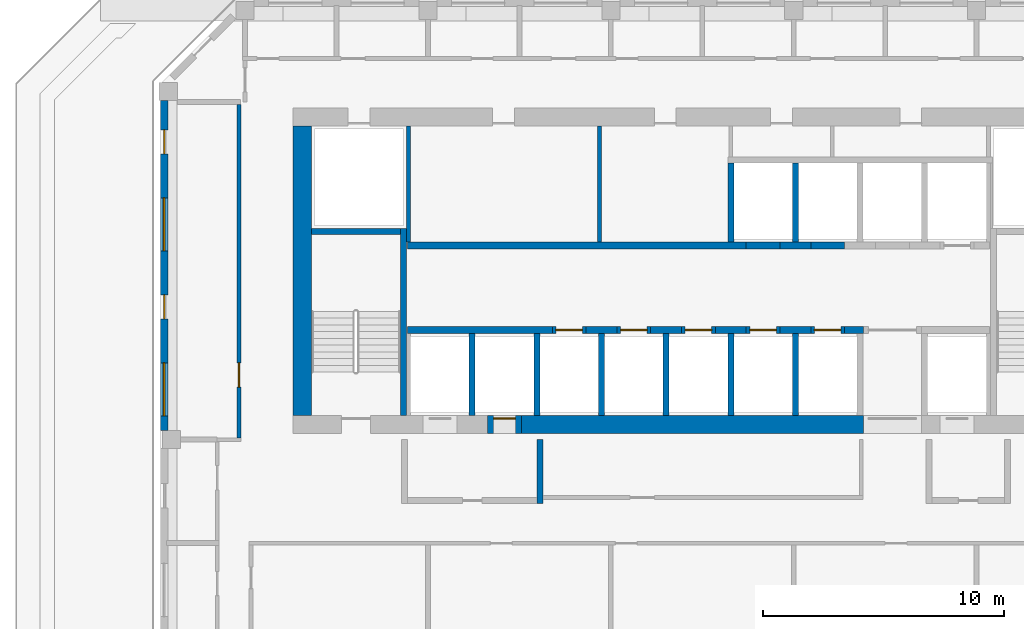
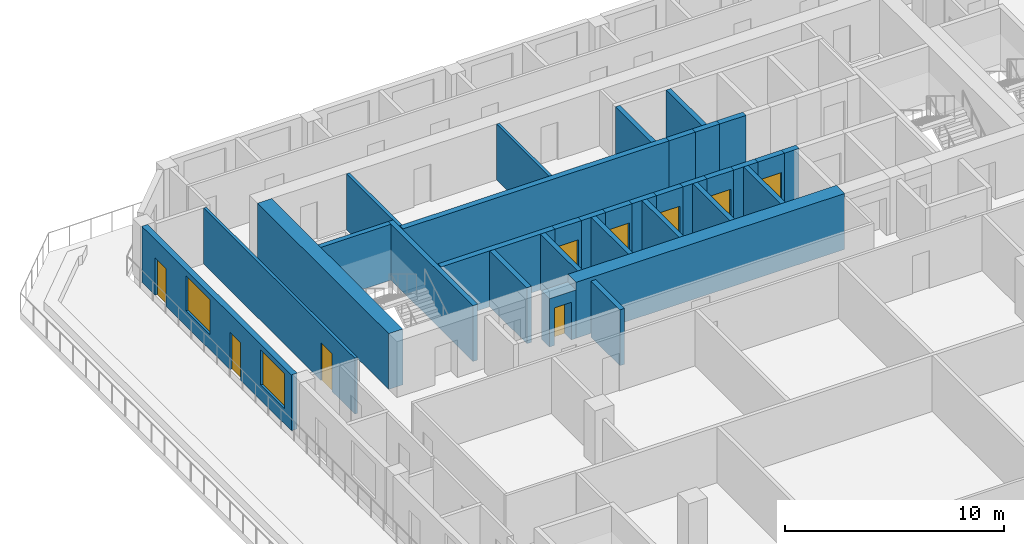
# One storey, part 7 of 16: 33 walls, 9 doors, 2 windows, 11 openings.
"""IFC4 building model written with IfcOpenShell, lengths in metres."""

from ifc_helpers import new_model, si_unit, direction, frame, frame_2d, origin, place, context, subcontext, project, spatial, rectangle, extrude, source, transform, mapped, material, layer, layer_set, type_object, element, fill, save


model = new_model("IFC4")

# Units and contexts
model_context = context("Model", 3, precision=1e-05, world=origin(), true_north=direction((0.0, 1.0)))
body_context = subcontext(model_context, "Body", "Model", "MODEL_VIEW")
ifc_project = project(units=[si_unit("LENGTHUNIT", "METRE"), si_unit("AREAUNIT", "SQUARE_METRE"), si_unit("VOLUMEUNIT", "CUBIC_METRE"), si_unit("PLANEANGLEUNIT", "RADIAN"), si_unit("MASSUNIT", "GRAM", prefix="KILO")], contexts=[model_context])

# Site, building, storey
site_placement = place(None, origin())
site = spatial("IfcSite", under=ifc_project, at=site_placement, CompositionType="ELEMENT")
building_placement = place(site_placement, origin())
building = spatial("IfcBuilding", under=site, at=building_placement, Name="Kilnfold Tower and Market Hall", CompositionType="ELEMENT")
storey_placement = place(building_placement, frame((0.0, 0.0, 199.89990234375)))
storey = spatial("IfcBuildingStorey", under=building, at=storey_placement, Name="L48", CompositionType="ELEMENT", Elevation=199.89990234375)

# Wall, opening, door
ifc_material_1 = material(Name="Gypsum board on steel studs", Category="steel")
ifc_layer_1 = layer(ifc_material_1, 0.14990234375)
ifc_layer_set_1 = layer_set([ifc_layer_1], Name="Gypsum board on steel studs")
wall_type_1 = type_object("IfcWallType", Name="WALL CORRIDOR 150", PredefinedType="PARTITIONING", material=ifc_layer_set_1)
wall_1_placement = place(storey_placement, frame((-18.0, 21.89990234375, 0.0), z_axis=(0.0, 0.0, 1.0), x_axis=(0.0, -1.0, 0.0)))
wall_1 = element("IfcWall", 1, at=wall_1_placement, inside=storey, type_object=wall_type_1, Name="Partition LY30.8", PredefinedType="PARTITIONING", context=body_context, shape_type="SweptSolid", body=[
    extrude(rectangle(XDim=13.824951171875, YDim=0.14990234375, at=frame_2d((6.91259765625, 0.0))), origin(), (0.0, 0.0, 1.0), 3.1201171875),
])
opening_1_placement = place(wall_1_placement, frame((10.720947265625, 0.0, 0.0)))
opening_1 = element("IfcOpeningElement", 2, at=opening_1_placement, cuts=wall_1, Name="Opening D4", PredefinedType="OPENING", context=body_context, shape_type="SweptSolid", body=[
    extrude(rectangle(XDim=1.0, YDim=2.10009765625, at=frame_2d((0.5, 1.050048828125))), frame((0.0, 0.0849609375, 0.0), z_axis=(0.0, -1.0, 0.0), x_axis=(1.0, 0.0, 0.0)), (0.0, 0.0, 1.0), 0.169921875),
])
ifc_material_2 = material(Name="Timber veneer door leaf in steel frame", Category="steel")
door_type_1 = type_object("IfcDoorType", Name="DOOR SERVICE 1000 X2100", OperationType="NOTDEFINED", PredefinedType="DOOR", material=ifc_material_2)
door_1_placement = place(opening_1_placement, origin())
door_1 = element("IfcDoor", 3, at=door_1_placement, inside=storey, type_object=door_type_1, Name="Door D4", OperationType="SINGLE_SWING_RIGHT", OverallHeight=2.10009765625, OverallWidth=1.0, PredefinedType="DOOR", context=body_context, shape_type="SweptSolid", body=[
    extrude(rectangle(XDim=1.0, YDim=2.10009765625, at=frame_2d((0.5, 1.050048828125))), frame((0.0, 0.02490234375, 0.0), z_axis=(0.0, -1.0, 0.0), x_axis=(1.0, 0.0, 0.0)), (0.0, 0.0, 1.0), 0.050048828125),
])
fill(opening_1, door_1)

# Walls
ifc_material_3 = material(Name="Concrete C60", Category="concrete")
ifc_layer_2 = layer(ifc_material_3, 0.25)
ifc_layer_set_2 = layer_set([ifc_layer_2], Name="Concrete C60")
wall_type_2 = type_object("IfcWallType", Name="CORE WALL 250 C60", PredefinedType="SHEAR", material=ifc_layer_set_2)
shared_shape_1 = source(origin(), body_context, "Body", "SweptSolid", [
    extrude(rectangle(XDim=7.75, YDim=0.25, at=frame_2d((3.875, 0.0))), origin(), (0.0, 0.0, 1.0), 3.1201171875),
])
wall_2_placement = place(storey_placement, frame((-11.175048828125, 9.0, 0.0), z_axis=(0.0, 0.0, 1.0), x_axis=(0.0, 1.0, 0.0)))
element("IfcWall", 4, at=wall_2_placement, inside=storey, type_object=wall_type_2, Name="Stair enclosure ST1", PredefinedType="SHEAR", context=body_context, shape_type="MappedRepresentation", body=[
    mapped(shared_shape_1, transform((0.0, 0.0, 0.0))),
])
shared_shape_2 = source(origin(), body_context, "Body", "SweptSolid", [
    extrude(rectangle(XDim=3.699951171875, YDim=0.25, at=frame_2d((1.85009765625, 0.0))), origin(), (0.0, 0.0, 1.0), 3.1201171875),
])
wall_3_placement = place(storey_placement, frame((-15.0, 16.625, 0.0), z_axis=(0.0, 0.0, 1.0), x_axis=(1.0, 0.0, 0.0)))
element("IfcWall", 5, at=wall_3_placement, inside=storey, type_object=wall_type_2, Name="Stair enclosure ST1", PredefinedType="SHEAR", context=body_context, shape_type="MappedRepresentation", body=[
    mapped(shared_shape_2, transform((0.0, 0.0, 0.0))),
])
ifc_material_4 = material(Name="Concrete C60", Category="concrete")
ifc_layer_3 = layer(ifc_material_4, 0.300048828125)
ifc_layer_set_3 = layer_set([ifc_layer_3], Name="Concrete C60")
wall_type_3 = type_object("IfcWallType", Name="CORE WALL 300 C60", PredefinedType="SHEAR", material=ifc_layer_set_3)
shared_shape_3 = source(origin(), body_context, "Body", "SweptSolid", [
    extrude(rectangle(XDim=6.0, YDim=0.300048828125, at=frame_2d((3.0, 0.0))), origin(), (0.0, 0.0, 1.0), 3.1201171875),
])
wall_4_placement = place(storey_placement, frame((-11.010009765625, 12.550048828125, 0.0), z_axis=(0.0, 0.0, 1.0), x_axis=(1.0, 0.0, 0.0)))
element("IfcWall", 6, at=wall_4_placement, inside=storey, type_object=wall_type_3, Name="Core spine wall", PredefinedType="SHEAR", context=body_context, shape_type="MappedRepresentation", body=[
    mapped(shared_shape_3, transform((0.0, 0.0, 0.0))),
])
shared_shape_4 = source(origin(), body_context, "Body", "SweptSolid", [
    extrude(rectangle(XDim=1.280029296875, YDim=0.300048828125, at=frame_2d((0.64013671875, 0.0))), origin(), (0.0, 0.0, 1.0), 3.1201171875),
])
for number, where, z_axis, x_axis, name in (
    (7, (-3.610107421875, 12.550048828125, 0.0), (0.0, 0.0, 1.0), (1.0, 0.0, 0.0), "Core spine wall"),
    (8, (-0.929931640625, 12.550048828125, 0.0), (0.0, 0.0, 1.0), (1.0, 0.0, 0.0), "Core spine wall"),
    (9, (1.75, 12.550048828125, 0.0), (0.0, 0.0, 1.0), (1.0, 0.0, 0.0), "Core spine wall"),
    (10, (4.429931640625, 12.550048828125, 0.0), (0.0, 0.0, 1.0), (1.0, 0.0, 0.0), "Core spine wall"),
    (11, (4.429931640625, 16.050048828125, 0.0), (0.0, 0.0, 1.0), (1.0, 0.0, 0.0), "Core spine wall"),
):
    element("IfcWall", number, at=place(storey_placement, frame(where, z_axis=z_axis, x_axis=x_axis)), inside=storey, type_object=wall_type_3, Name=name, PredefinedType="SHEAR", context=body_context, shape_type="MappedRepresentation", body=[
        mapped(shared_shape_4, transform((0.0, 0.0, 0.0))),
    ])
shared_shape_5 = source(origin(), body_context, "Body", "SweptSolid", [
    extrude(rectangle(XDim=0.77978515625, YDim=0.300048828125, at=frame_2d((0.389892578125, 0.0))), origin(), (0.0, 0.0, 1.0), 3.1201171875),
])
wall_5_placement = place(storey_placement, frame((7.110107421875, 12.550048828125, 0.0), z_axis=(0.0, 0.0, 1.0), x_axis=(1.0, 0.0, 0.0)))
element("IfcWall", 12, at=wall_5_placement, inside=storey, type_object=wall_type_3, Name="Core spine wall", PredefinedType="SHEAR", context=body_context, shape_type="MappedRepresentation", body=[
    mapped(shared_shape_5, transform((0.0, 0.0, 0.0))),
])
shared_shape_6 = source(origin(), body_context, "Body", "SweptSolid", [
    extrude(rectangle(XDim=14.0400390625, YDim=0.300048828125, at=frame_2d((7.02001953125, 0.0))), origin(), (0.0, 0.0, 1.0), 3.1201171875),
])
wall_6_placement = place(storey_placement, frame((-11.010009765625, 16.050048828125, 0.0), z_axis=(0.0, 0.0, 1.0), x_axis=(1.0, 0.0, 0.0)))
element("IfcWall", 13, at=wall_6_placement, inside=storey, type_object=wall_type_3, Name="Core spine wall", PredefinedType="SHEAR", context=body_context, shape_type="MappedRepresentation", body=[
    mapped(shared_shape_6, transform((0.0, 0.0, 0.0))),
])
ifc_material_5 = material(Name="Concrete C60", Category="concrete")
ifc_layer_4 = layer(ifc_material_5, 0.75)
ifc_layer_set_4 = layer_set([ifc_layer_4], Name="Concrete C60")
wall_type_4 = type_object("IfcWallType", Name="CORE WALL 750 C60", PredefinedType="SHEAR", material=ifc_layer_set_4)
shared_shape_7 = source(origin(), body_context, "Body", "SweptSolid", [
    extrude(rectangle(XDim=14.179931640625, YDim=0.75, at=frame_2d((7.08984375, 0.0))), origin(), (0.0, 0.0, 1.0), 3.1201171875),
])
wall_7_placement = place(storey_placement, frame((-6.2900390625, 8.625, 0.0), z_axis=(0.0, 0.0, 1.0), x_axis=(1.0, 0.0, 0.0)))
element("IfcWall", 14, at=wall_7_placement, inside=storey, type_object=wall_type_4, Name="Core outer wall south", PredefinedType="SHEAR", context=body_context, shape_type="MappedRepresentation", body=[
    mapped(shared_shape_7, transform((0.0, 0.0, 0.0))),
])
shared_shape_8 = source(origin(), body_context, "Body", "SweptSolid", [
    extrude(rectangle(XDim=12.0, YDim=0.75, at=frame_2d((6.0, 0.0))), origin(), (0.0, 0.0, 1.0), 3.1201171875),
])
wall_8_placement = place(storey_placement, frame((-15.375, 9.0, 0.0), z_axis=(0.0, 0.0, 1.0), x_axis=(0.0, 1.0, 0.0)))
element("IfcWall", 15, at=wall_8_placement, inside=storey, type_object=wall_type_4, Name="Core outer wall west", PredefinedType="SHEAR", context=body_context, shape_type="MappedRepresentation", body=[
    mapped(shared_shape_8, transform((0.0, 0.0, 0.0))),
])

# Wall, openings, doors, windows
ifc_material_6 = material(Name="Precast concrete C50/60", Category="concrete")
ifc_layer_5 = layer(ifc_material_6, 0.300048828125)
ifc_layer_set_5 = layer_set([ifc_layer_5], Name="Precast concrete C50/60")
wall_type_5 = type_object("IfcWallType", Name="PRECAST WALL 300", PredefinedType="SOLIDWALL", material=ifc_layer_set_5)
shared_shape_9 = source(origin(), body_context, "Body", "SweptSolid", [
    extrude(rectangle(XDim=13.681884765625, YDim=0.300048828125, at=frame_2d((6.8408203125, 0.0))), origin(), (0.0, 0.0, 1.0), 3.1201171875),
])
wall_9_placement = place(storey_placement, frame((-21.10009765625, 22.056884765625, 0.0), z_axis=(0.0, 0.0, 1.0), x_axis=(0.0, -1.0, 0.0)))
wall_9 = element("IfcWall", 16, at=wall_9_placement, inside=storey, type_object=wall_type_5, Name="External wall L48 W", PredefinedType="SOLIDWALL", context=body_context, shape_type="MappedRepresentation", body=[
    mapped(shared_shape_9, transform((0.0, 0.0, 0.0))),
])
opening_2_placement = place(wall_9_placement, frame((1.210205078125, 0.0, 0.0)))
opening_2 = element("IfcOpeningElement", 17, at=opening_2_placement, cuts=wall_9, Name="Opening BD1", PredefinedType="OPENING", context=body_context, shape_type="SweptSolid", body=[
    extrude(rectangle(XDim=1.0, YDim=2.10009765625, at=frame_2d((0.5, 1.050048828125))), frame((0.0, 0.16015625, 0.0), z_axis=(0.0, -1.0, 0.0), x_axis=(1.0, 0.0, 0.0)), (0.0, 0.0, 1.0), 0.320068359375),
])
opening_3_placement = place(wall_9_placement, frame((4.030517578125, 0.0, 0.85009765625)))
opening_3 = element("IfcOpeningElement", 18, at=opening_3_placement, cuts=wall_9, Name="Opening W2", PredefinedType="OPENING", context=body_context, shape_type="SweptSolid", body=[
    extrude(rectangle(XDim=2.199951171875, YDim=1.949951171875, at=frame_2d((1.10009765625, 0.97509765625))), frame((0.0, 0.16015625, 0.0), z_axis=(0.0, -1.0, 0.0), x_axis=(1.0, 0.0, 0.0)), (0.0, 0.0, 1.0), 0.320068359375),
])
opening_4_placement = place(wall_9_placement, frame((8.051025390625, 0.0, 0.0)))
opening_4 = element("IfcOpeningElement", 19, at=opening_4_placement, cuts=wall_9, Name="Opening BD1", PredefinedType="OPENING", context=body_context, shape_type="SweptSolid", body=[
    extrude(rectangle(XDim=1.0, YDim=2.10009765625, at=frame_2d((0.5, 1.050048828125))), frame((0.0, 0.16015625, 0.0), z_axis=(0.0, -1.0, 0.0), x_axis=(1.0, 0.0, 0.0)), (0.0, 0.0, 1.0), 0.320068359375),
])
opening_5_placement = place(wall_9_placement, frame((10.87158203125, 0.0, 0.85009765625)))
opening_5 = element("IfcOpeningElement", 20, at=opening_5_placement, cuts=wall_9, Name="Opening W2", PredefinedType="OPENING", context=body_context, shape_type="SweptSolid", body=[
    extrude(rectangle(XDim=2.199951171875, YDim=1.949951171875, at=frame_2d((1.10009765625, 0.97509765625))), frame((0.0, 0.16015625, 0.0), z_axis=(0.0, -1.0, 0.0), x_axis=(1.0, 0.0, 0.0)), (0.0, 0.0, 1.0), 0.320068359375),
])
ifc_material_7 = material(Name="Aluminium frame and double glazing", Category="aluminium")
door_type_2 = type_object("IfcDoorType", Name="BALCONY DOOR 1000X2100", OperationType="NOTDEFINED", PredefinedType="DOOR", material=ifc_material_7)
door_2_placement = place(opening_2_placement, origin())
door_2 = element("IfcDoor", 21, at=door_2_placement, inside=storey, type_object=door_type_2, Name="Balcony door BD1 L48 W-1", OperationType="SINGLE_SWING_LEFT", OverallHeight=2.10009765625, OverallWidth=1.0, PredefinedType="DOOR", context=body_context, shape_type="SweptSolid", body=[
    extrude(rectangle(XDim=1.0, YDim=2.10009765625, at=frame_2d((0.5, 1.050048828125))), frame((0.0, 0.02490234375, 0.0), z_axis=(0.0, -1.0, 0.0), x_axis=(1.0, 0.0, 0.0)), (0.0, 0.0, 1.0), 0.050048828125),
])
fill(opening_2, door_2)
door_3_placement = place(opening_4_placement, origin())
door_3 = element("IfcDoor", 22, at=door_3_placement, inside=storey, type_object=door_type_2, Name="Balcony door BD1 L48 W-3", OperationType="SINGLE_SWING_LEFT", OverallHeight=2.10009765625, OverallWidth=1.0, PredefinedType="DOOR", context=body_context, shape_type="SweptSolid", body=[
    extrude(rectangle(XDim=1.0, YDim=2.10009765625, at=frame_2d((0.5, 1.050048828125))), frame((0.0, 0.02490234375, 0.0), z_axis=(0.0, -1.0, 0.0), x_axis=(1.0, 0.0, 0.0)), (0.0, 0.0, 1.0), 0.050048828125),
])
fill(opening_4, door_3)
ifc_material_8 = material(Name="Aluminium frame and double glazing", Category="aluminium")
window_type = type_object("IfcWindowType", Name="WINDOW W2 2200X1950", PartitioningType="SINGLE_PANEL", PredefinedType="WINDOW", material=ifc_material_8)
window_1_placement = place(opening_3_placement, origin())
window_1 = element("IfcWindow", 23, at=window_1_placement, inside=storey, type_object=window_type, Name="Window W2 L48 W-2", OverallHeight=1.949951171875, OverallWidth=2.199951171875, PartitioningType="SINGLE_PANEL", PredefinedType="WINDOW", context=body_context, shape_type="SweptSolid", body=[
    extrude(rectangle(XDim=2.199951171875, YDim=1.949951171875, at=frame_2d((1.10009765625, 0.97509765625))), frame((0.0, 0.030029296875, 0.0), z_axis=(0.0, -1.0, 0.0), x_axis=(1.0, 0.0, 0.0)), (0.0, 0.0, 1.0), 0.06005859375),
])
fill(opening_3, window_1)
window_2_placement = place(opening_5_placement, origin())
window_2 = element("IfcWindow", 24, at=window_2_placement, inside=storey, type_object=window_type, Name="Window W2 L48 W-4", OverallHeight=1.949951171875, OverallWidth=2.199951171875, PartitioningType="SINGLE_PANEL", PredefinedType="WINDOW", context=body_context, shape_type="SweptSolid", body=[
    extrude(rectangle(XDim=2.199951171875, YDim=1.949951171875, at=frame_2d((1.10009765625, 0.97509765625))), frame((0.0, 0.030029296875, 0.0), z_axis=(0.0, -1.0, 0.0), x_axis=(1.0, 0.0, 0.0)), (0.0, 0.0, 1.0), 0.06005859375),
])
fill(opening_5, window_2)

# Wall, opening, door
ifc_material_9 = material(Name="Gypsum shaft wall system")
ifc_layer_6 = layer(ifc_material_9, 0.300048828125)
ifc_layer_set_6 = layer_set([ifc_layer_6], Name="Gypsum shaft wall system")
wall_type_6 = type_object("IfcWallType", Name="SHAFT WALL 300", PredefinedType="PARTITIONING", material=ifc_layer_set_6)
shared_shape_10 = source(origin(), body_context, "Body", "SweptSolid", [
    extrude(rectangle(XDim=1.39990234375, YDim=0.300048828125, at=frame_2d((0.699951171875, 0.0))), origin(), (0.0, 0.0, 1.0), 3.1201171875),
])
wall_10_placement = place(storey_placement, frame((-5.010009765625, 12.550048828125, 0.0), z_axis=(0.0, 0.0, 1.0), x_axis=(1.0, 0.0, 0.0)))
wall_10 = element("IfcWall", 25, at=wall_10_placement, inside=storey, type_object=wall_type_6, Name="Lift shaft front wall", PredefinedType="PARTITIONING", context=body_context, shape_type="MappedRepresentation", body=[
    mapped(shared_shape_10, transform((0.0, 0.0, 0.0))),
])
opening_6_placement = place(wall_10_placement, frame((0.14990234375, 0.0, 0.0)))
opening_6 = element("IfcOpeningElement", 26, at=opening_6_placement, cuts=wall_10, Name="Opening LD2", PredefinedType="OPENING", context=body_context, shape_type="SweptSolid", body=[
    extrude(rectangle(XDim=1.10009765625, YDim=2.10009765625, at=frame_2d((0.550048828125, 1.050048828125))), frame((0.0, 0.16015625, 0.0), z_axis=(0.0, -1.0, 0.0), x_axis=(1.0, 0.0, 0.0)), (0.0, 0.0, 1.0), 0.320068359375),
])
ifc_material_10 = material(Name="Steel door set with fire-resisting leaf", Category="steel")
door_type_3 = type_object("IfcDoorType", Name="LANDING DOOR 1100X2100", OperationType="NOTDEFINED", PredefinedType="DOOR", material=ifc_material_10)
door_4_placement = place(opening_6_placement, origin())
door_4 = element("IfcDoor", 27, at=door_4_placement, inside=storey, type_object=door_type_3, Name="Landing door MR1", OperationType="DOUBLE_DOOR_SLIDING", OverallHeight=2.10009765625, OverallWidth=1.10009765625, PredefinedType="DOOR", context=body_context, shape_type="SweptSolid", body=[
    extrude(rectangle(XDim=1.10009765625, YDim=2.10009765625, at=frame_2d((0.550048828125, 1.050048828125))), frame((0.0, 0.02490234375, 0.0), z_axis=(0.0, -1.0, 0.0), x_axis=(1.0, 0.0, 0.0)), (0.0, 0.0, 1.0), 0.050048828125),
])
fill(opening_6, door_4)

wall_11_placement = place(storey_placement, frame((0.35009765625, 12.550048828125, 0.0), z_axis=(0.0, 0.0, 1.0), x_axis=(1.0, 0.0, 0.0)))
wall_11 = element("IfcWall", 28, at=wall_11_placement, inside=storey, type_object=wall_type_6, Name="Lift shaft front wall", PredefinedType="PARTITIONING", context=body_context, shape_type="MappedRepresentation", body=[
    mapped(shared_shape_10, transform((0.0, 0.0, 0.0))),
])
opening_7_placement = place(wall_11_placement, frame((0.14990234375, 0.0, 0.0)))
opening_7 = element("IfcOpeningElement", 29, at=opening_7_placement, cuts=wall_11, Name="Opening LD2", PredefinedType="OPENING", context=body_context, shape_type="SweptSolid", body=[
    extrude(rectangle(XDim=1.10009765625, YDim=2.10009765625, at=frame_2d((0.550048828125, 1.050048828125))), frame((0.0, 0.16015625, 0.0), z_axis=(0.0, -1.0, 0.0), x_axis=(1.0, 0.0, 0.0)), (0.0, 0.0, 1.0), 0.320068359375),
])
door_5_placement = place(opening_7_placement, origin())
door_5 = element("IfcDoor", 30, at=door_5_placement, inside=storey, type_object=door_type_3, Name="Landing door MR3", OperationType="DOUBLE_DOOR_SLIDING", OverallHeight=2.10009765625, OverallWidth=1.10009765625, PredefinedType="DOOR", context=body_context, shape_type="SweptSolid", body=[
    extrude(rectangle(XDim=1.10009765625, YDim=2.10009765625, at=frame_2d((0.550048828125, 1.050048828125))), frame((0.0, 0.02490234375, 0.0), z_axis=(0.0, -1.0, 0.0), x_axis=(1.0, 0.0, 0.0)), (0.0, 0.0, 1.0), 0.050048828125),
])
fill(opening_7, door_5)

wall_12_placement = place(storey_placement, frame((3.030029296875, 12.550048828125, 0.0), z_axis=(0.0, 0.0, 1.0), x_axis=(1.0, 0.0, 0.0)))
wall_12 = element("IfcWall", 31, at=wall_12_placement, inside=storey, type_object=wall_type_6, Name="Lift shaft front wall", PredefinedType="PARTITIONING", context=body_context, shape_type="MappedRepresentation", body=[
    mapped(shared_shape_10, transform((0.0, 0.0, 0.0))),
])
opening_8_placement = place(wall_12_placement, frame((0.14990234375, 0.0, 0.0)))
opening_8 = element("IfcOpeningElement", 32, at=opening_8_placement, cuts=wall_12, Name="Opening LD2", PredefinedType="OPENING", context=body_context, shape_type="SweptSolid", body=[
    extrude(rectangle(XDim=1.10009765625, YDim=2.10009765625, at=frame_2d((0.550048828125, 1.050048828125))), frame((0.0, 0.16015625, 0.0), z_axis=(0.0, -1.0, 0.0), x_axis=(1.0, 0.0, 0.0)), (0.0, 0.0, 1.0), 0.320068359375),
])
door_6_placement = place(opening_8_placement, origin())
door_6 = element("IfcDoor", 33, at=door_6_placement, inside=storey, type_object=door_type_3, Name="Landing door MR4", OperationType="DOUBLE_DOOR_SLIDING", OverallHeight=2.10009765625, OverallWidth=1.10009765625, PredefinedType="DOOR", context=body_context, shape_type="SweptSolid", body=[
    extrude(rectangle(XDim=1.10009765625, YDim=2.10009765625, at=frame_2d((0.550048828125, 1.050048828125))), frame((0.0, 0.02490234375, 0.0), z_axis=(0.0, -1.0, 0.0), x_axis=(1.0, 0.0, 0.0)), (0.0, 0.0, 1.0), 0.050048828125),
])
fill(opening_8, door_6)

# Wall
wall_13_placement = place(storey_placement, frame((3.030029296875, 16.050048828125, 0.0), z_axis=(0.0, 0.0, 1.0), x_axis=(1.0, 0.0, 0.0)))
element("IfcWall", 34, at=wall_13_placement, inside=storey, type_object=wall_type_6, Name="Lift shaft front wall", PredefinedType="PARTITIONING", context=body_context, shape_type="MappedRepresentation", body=[
    mapped(shared_shape_10, transform((0.0, 0.0, 0.0))),
])

# Wall, opening, door
shared_shape_11 = source(origin(), body_context, "Body", "SweptSolid", [
    extrude(rectangle(XDim=1.400146484375, YDim=0.300048828125, at=frame_2d((0.7001953125, 0.0))), origin(), (0.0, 0.0, 1.0), 3.1201171875),
])
wall_14_placement = place(storey_placement, frame((-2.330078125, 12.550048828125, 0.0), z_axis=(0.0, 0.0, 1.0), x_axis=(1.0, 0.0, 0.0)))
wall_14 = element("IfcWall", 35, at=wall_14_placement, inside=storey, type_object=wall_type_6, Name="Lift shaft front wall", PredefinedType="PARTITIONING", context=body_context, shape_type="MappedRepresentation", body=[
    mapped(shared_shape_11, transform((0.0, 0.0, 0.0))),
])
opening_9_placement = place(wall_14_placement, frame((0.14990234375, 0.0, 0.0)))
opening_9 = element("IfcOpeningElement", 36, at=opening_9_placement, cuts=wall_14, Name="Opening LD2", PredefinedType="OPENING", context=body_context, shape_type="SweptSolid", body=[
    extrude(rectangle(XDim=1.10009765625, YDim=2.10009765625, at=frame_2d((0.550048828125, 1.050048828125))), frame((0.0, 0.16015625, 0.0), z_axis=(0.0, -1.0, 0.0), x_axis=(1.0, 0.0, 0.0)), (0.0, 0.0, 1.0), 0.320068359375),
])
door_7_placement = place(opening_9_placement, origin())
door_7 = element("IfcDoor", 37, at=door_7_placement, inside=storey, type_object=door_type_3, Name="Landing door MR2", OperationType="DOUBLE_DOOR_SLIDING", OverallHeight=2.10009765625, OverallWidth=1.10009765625, PredefinedType="DOOR", context=body_context, shape_type="SweptSolid", body=[
    extrude(rectangle(XDim=1.10009765625, YDim=2.10009765625, at=frame_2d((0.550048828125, 1.050048828125))), frame((0.0, 0.02490234375, 0.0), z_axis=(0.0, -1.0, 0.0), x_axis=(1.0, 0.0, 0.0)), (0.0, 0.0, 1.0), 0.050048828125),
])
fill(opening_9, door_7)

wall_15_placement = place(storey_placement, frame((5.7099609375, 12.550048828125, 0.0), z_axis=(0.0, 0.0, 1.0), x_axis=(1.0, 0.0, 0.0)))
wall_15 = element("IfcWall", 38, at=wall_15_placement, inside=storey, type_object=wall_type_6, Name="Lift shaft front wall", PredefinedType="PARTITIONING", context=body_context, shape_type="MappedRepresentation", body=[
    mapped(shared_shape_11, transform((0.0, 0.0, 0.0))),
])
opening_10_placement = place(wall_15_placement, frame((0.14990234375, 0.0, 0.0)))
opening_10 = element("IfcOpeningElement", 39, at=opening_10_placement, cuts=wall_15, Name="Opening LD2", PredefinedType="OPENING", context=body_context, shape_type="SweptSolid", body=[
    extrude(rectangle(XDim=1.10009765625, YDim=2.10009765625, at=frame_2d((0.550048828125, 1.050048828125))), frame((0.0, 0.16015625, 0.0), z_axis=(0.0, -1.0, 0.0), x_axis=(1.0, 0.0, 0.0)), (0.0, 0.0, 1.0), 0.320068359375),
])
door_8_placement = place(opening_10_placement, origin())
door_8 = element("IfcDoor", 40, at=door_8_placement, inside=storey, type_object=door_type_3, Name="Landing door MR5", OperationType="DOUBLE_DOOR_SLIDING", OverallHeight=2.10009765625, OverallWidth=1.10009765625, PredefinedType="DOOR", context=body_context, shape_type="SweptSolid", body=[
    extrude(rectangle(XDim=1.10009765625, YDim=2.10009765625, at=frame_2d((0.550048828125, 1.050048828125))), frame((0.0, 0.02490234375, 0.0), z_axis=(0.0, -1.0, 0.0), x_axis=(1.0, 0.0, 0.0)), (0.0, 0.0, 1.0), 0.050048828125),
])
fill(opening_10, door_8)

# Walls
wall_16_placement = place(storey_placement, frame((5.7099609375, 16.050048828125, 0.0), z_axis=(0.0, 0.0, 1.0), x_axis=(1.0, 0.0, 0.0)))
element("IfcWall", 41, at=wall_16_placement, inside=storey, type_object=wall_type_6, Name="Lift shaft front wall", PredefinedType="PARTITIONING", context=body_context, shape_type="MappedRepresentation", body=[
    mapped(shared_shape_11, transform((0.0, 0.0, 0.0))),
])
ifc_material_11 = material(Name="Gypsum shaft wall system")
ifc_layer_7 = layer(ifc_material_11, 0.25)
ifc_layer_set_7 = layer_set([ifc_layer_7], Name="Gypsum shaft wall system")
wall_type_7 = type_object("IfcWallType", Name="LOBBY WALL 250", PredefinedType="PARTITIONING", material=ifc_layer_set_7)
shared_shape_12 = source(origin(), body_context, "Body", "SweptSolid", [
    extrude(rectangle(XDim=2.64990234375, YDim=0.25, at=frame_2d((1.324951171875, 0.0))), origin(), (0.0, 0.0, 1.0), 3.1201171875),
])
wall_17_placement = place(storey_placement, frame((-5.52490234375, 5.35009765625, 0.0), z_axis=(0.0, 0.0, 1.0), x_axis=(0.0, 1.0, 0.0)))
element("IfcWall", 42, at=wall_17_placement, inside=storey, type_object=wall_type_7, Name="Firefighting lobby wall", PredefinedType="PARTITIONING", context=body_context, shape_type="MappedRepresentation", body=[
    mapped(shared_shape_12, transform((0.0, 0.0, 0.0))),
])
ifc_material_12 = material(Name="Gypsum shaft wall system")
ifc_layer_8 = layer(ifc_material_12, 0.1650390625)
ifc_layer_set_8 = layer_set([ifc_layer_8], Name="Gypsum shaft wall system")
wall_type_8 = type_object("IfcWallType", Name="SHAFT WALL 165", PredefinedType="PARTITIONING", material=ifc_layer_set_8)
shared_shape_13 = source(origin(), body_context, "Body", "SweptSolid", [
    extrude(rectangle(XDim=4.800048828125, YDim=0.1650390625, at=frame_2d((2.39990234375, 0.0))), origin(), (0.0, 0.0, 1.0), 3.1201171875),
])
wall_18_placement = place(storey_placement, frame((-10.967529296875, 16.199951171875, 0.0), z_axis=(0.0, 0.0, 1.0), x_axis=(0.0, 1.0, 0.0)))
element("IfcWall", 43, at=wall_18_placement, inside=storey, type_object=wall_type_8, Name="Lift shaft wall", PredefinedType="PARTITIONING", context=body_context, shape_type="MappedRepresentation", body=[
    mapped(shared_shape_13, transform((0.0, 0.0, 0.0))),
])
ifc_material_13 = material(Name="Gypsum shaft wall system")
ifc_layer_9 = layer(ifc_material_13, 0.25)
ifc_layer_set_9 = layer_set([ifc_layer_9], Name="Gypsum shaft wall system")
wall_type_9 = type_object("IfcWallType", Name="SHAFT WALL 250", PredefinedType="PARTITIONING", material=ifc_layer_set_9)
shared_shape_14 = source(origin(), body_context, "Body", "SweptSolid", [
    extrude(rectangle(XDim=3.275146484375, YDim=0.25, at=frame_2d((1.6376953125, 0.0))), origin(), (0.0, 0.0, 1.0), 3.1201171875),
])
for number, where, z_axis, x_axis, name in (
    (44, (2.389892578125, 16.199951171875, 0.0), (0.0, 0.0, 1.0), (0.0, 1.0, 0.0), "Lift shaft wall"),
    (45, (5.070068359375, 16.199951171875, 0.0), (0.0, 0.0, 1.0), (0.0, 1.0, 0.0), "Lift shaft wall"),
):
    element("IfcWall", number, at=place(storey_placement, frame(where, z_axis=z_axis, x_axis=x_axis)), inside=storey, type_object=wall_type_9, Name=name, PredefinedType="PARTITIONING", context=body_context, shape_type="MappedRepresentation", body=[
        mapped(shared_shape_14, transform((0.0, 0.0, 0.0))),
    ])
shared_shape_15 = source(origin(), body_context, "Body", "SweptSolid", [
    extrude(rectangle(XDim=3.39990234375, YDim=0.25, at=frame_2d((1.699951171875, 0.0))), origin(), (0.0, 0.0, 1.0), 3.1201171875),
])
for number, where, z_axis, x_axis, name in (
    (46, (2.389892578125, 9.0, 0.0), (0.0, 0.0, 1.0), (0.0, 1.0, 0.0), "Lift shaft wall"),
    (47, (5.070068359375, 9.0, 0.0), (0.0, 0.0, 1.0), (0.0, 1.0, 0.0), "Lift shaft wall"),
    (48, (-0.2900390625, 9.0, 0.0), (0.0, 0.0, 1.0), (0.0, 1.0, 0.0), "Lift shaft wall"),
    (49, (-2.969970703125, 9.0, 0.0), (0.0, 0.0, 1.0), (0.0, 1.0, 0.0), "Lift shaft wall"),
    (50, (-5.64990234375, 9.0, 0.0), (0.0, 0.0, 1.0), (0.0, 1.0, 0.0), "Lift shaft wall"),
    (51, (-8.330078125, 9.0, 0.0), (0.0, 0.0, 1.0), (0.0, 1.0, 0.0), "Lift shaft wall"),
):
    element("IfcWall", number, at=place(storey_placement, frame(where, z_axis=z_axis, x_axis=x_axis)), inside=storey, type_object=wall_type_9, Name=name, PredefinedType="PARTITIONING", context=body_context, shape_type="MappedRepresentation", body=[
        mapped(shared_shape_15, transform((0.0, 0.0, 0.0))),
    ])
ifc_material_14 = material(Name="Gypsum shaft wall system")
ifc_layer_10 = layer(ifc_material_14, 0.14990234375)
ifc_layer_set_10 = layer_set([ifc_layer_10], Name="Gypsum shaft wall system")
wall_type_10 = type_object("IfcWallType", Name="ROOM WALL 150", PredefinedType="PARTITIONING", material=ifc_layer_set_10)
shared_shape_16 = source(origin(), body_context, "Body", "SweptSolid", [
    extrude(rectangle(XDim=4.800048828125, YDim=0.14990234375, at=frame_2d((2.39990234375, 0.0))), origin(), (0.0, 0.0, 1.0), 3.1201171875),
])
wall_19_placement = place(storey_placement, frame((-3.05029296875, 16.199951171875, 0.0), z_axis=(0.0, 0.0, 1.0), x_axis=(0.0, 1.0, 0.0)))
element("IfcWall", 52, at=wall_19_placement, inside=storey, type_object=wall_type_10, Name="Core room wall", PredefinedType="PARTITIONING", context=body_context, shape_type="MappedRepresentation", body=[
    mapped(shared_shape_16, transform((0.0, 0.0, 0.0))),
])

# Wall, opening, door
ifc_material_15 = material(Name="Gypsum shaft wall system")
ifc_layer_11 = layer(ifc_material_15, 0.75)
ifc_layer_set_11 = layer_set([ifc_layer_11], Name="Gypsum shaft wall system")
wall_type_11 = type_object("IfcWallType", Name="LOBBY WALL 750", PredefinedType="PARTITIONING", material=ifc_layer_set_11)
shared_shape_17 = source(origin(), body_context, "Body", "SweptSolid", [
    extrude(rectangle(XDim=1.39990234375, YDim=0.75, at=frame_2d((0.699951171875, 0.0))), origin(), (0.0, 0.0, 1.0), 2.7001953125),
])
wall_20_placement = place(storey_placement, frame((-7.68994140625, 8.625, 0.0), z_axis=(0.0, 0.0, 1.0), x_axis=(1.0, 0.0, 0.0)))
wall_20 = element("IfcWall", 53, at=wall_20_placement, inside=storey, type_object=wall_type_11, Name="Core wall infill", PredefinedType="PARTITIONING", context=body_context, shape_type="MappedRepresentation", body=[
    mapped(shared_shape_17, transform((0.0, 0.0, 0.0))),
])
opening_11_placement = place(wall_20_placement, frame((0.25, 0.0, 0.0)))
opening_11 = element("IfcOpeningElement", 54, at=opening_11_placement, cuts=wall_20, Name="Opening LD1", PredefinedType="OPENING", context=body_context, shape_type="SweptSolid", body=[
    extrude(rectangle(XDim=0.89990234375, YDim=2.10009765625, at=frame_2d((0.449951171875, 1.050048828125))), frame((0.0, 0.385009765625, 0.0), z_axis=(0.0, -1.0, 0.0), x_axis=(1.0, 0.0, 0.0)), (0.0, 0.0, 1.0), 0.77001953125),
])
ifc_material_16 = material(Name="Steel door set with fire-resisting leaf", Category="steel")
door_type_4 = type_object("IfcDoorType", Name="FIREFIGHTING LANDING DOOR 900X2100", OperationType="NOTDEFINED", PredefinedType="DOOR", material=ifc_material_16)
door_9_placement = place(opening_11_placement, origin())
door_9 = element("IfcDoor", 55, at=door_9_placement, inside=storey, type_object=door_type_4, Name="Landing door FF2", OperationType="SLIDING_TO_RIGHT", OverallHeight=2.10009765625, OverallWidth=0.89990234375, PredefinedType="DOOR", context=body_context, shape_type="SweptSolid", body=[
    extrude(rectangle(XDim=0.89990234375, YDim=2.10009765625, at=frame_2d((0.449951171875, 1.050048828125))), frame((0.0, 0.27978515625, 0.0), z_axis=(0.0, -1.0, 0.0), x_axis=(1.0, 0.0, 0.0)), (0.0, 0.0, 1.0), 0.050048828125),
])
fill(opening_11, door_9)

save(model, "model.ifc")
